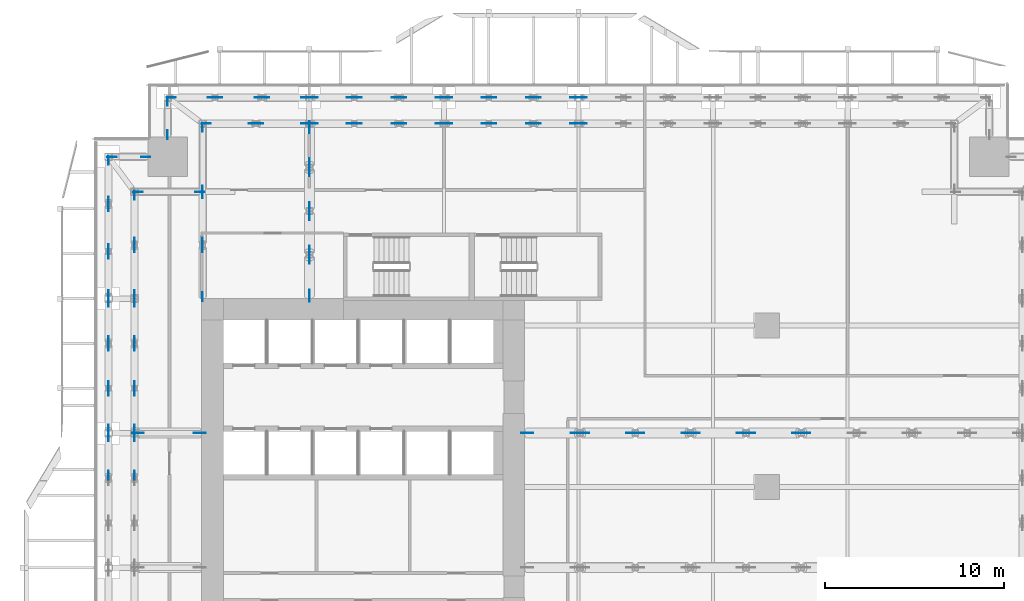
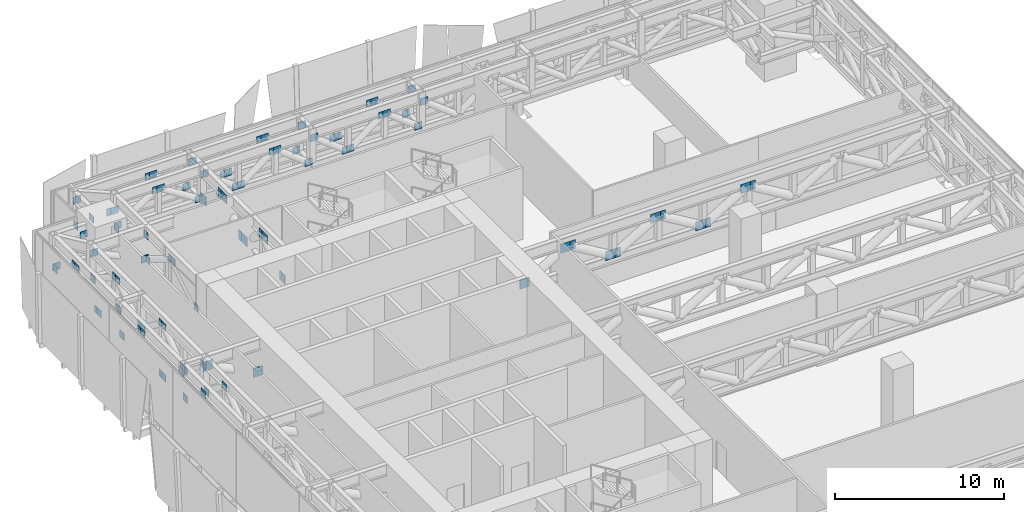
# One storey, part 36 of 39: 95 discrete accessories.
"""IFC4 building model written with IfcOpenShell, lengths in metres."""

from ifc_helpers import new_model, si_unit, direction, frame, origin, origin_2d, place, context, subcontext, project, spatial, rectangle, extrude, source, transform, mapped, material, layer, layer_set, type_object, element, save


model = new_model("IFC4")

# Units and contexts
model_context = context("Model", 3, precision=1e-05, world=origin(), true_north=direction((0.0, 1.0)))
body_context = subcontext(model_context, "Body", "Model", "MODEL_VIEW")
ifc_project = project(units=[si_unit("LENGTHUNIT", "METRE"), si_unit("AREAUNIT", "SQUARE_METRE"), si_unit("VOLUMEUNIT", "CUBIC_METRE"), si_unit("PLANEANGLEUNIT", "RADIAN"), si_unit("MASSUNIT", "GRAM", prefix="KILO")], contexts=[model_context])

# Site, building, storey
site_placement = place(None, origin())
site = spatial("IfcSite", under=ifc_project, at=site_placement, CompositionType="ELEMENT")
building_placement = place(site_placement, origin())
building = spatial("IfcBuilding", under=site, at=building_placement, Name="Khomas Fold Tower", CompositionType="ELEMENT")
storey_placement = place(building_placement, frame((0.0, 0.0, 96.0)))
storey = spatial("IfcBuildingStorey", under=building, at=storey_placement, Name="L20", CompositionType="ELEMENT", Elevation=96.0)

# Discrete accessories
ifc_material_1 = material(Name="Steel S355", Category="steel")
ifc_layer_1 = layer(ifc_material_1, 0.030029296875)
ifc_layer_set_1 = layer_set([ifc_layer_1], Name="Steel S355")
discrete_accessory_type_1 = type_object("IfcDiscreteAccessoryType", Name="Gusset plate 30 x 510 GP3", PredefinedType="BRACKET", material=ifc_layer_set_1)
shared_shape_1 = source(origin(), body_context, "Body", "SweptSolid", [
    extrude(rectangle(XDim=0.510009765625, YDim=0.030029296875, at=origin_2d()), origin(), (0.0, 0.0, 1.0), 0.510009765625),
])
for number, where, z_axis, x_axis, name in (
    (1, (0.800048828125, 32.14990234375, 4.14990234375), (0.0, 0.0, 1.0), (0.0, 1.0, 0.0), "Gusset plate BT1-D"),
    (2, (0.800048828125, 34.300048828125, 2.490234375), (0.0, 0.0, 1.0), (0.0, 1.0, 0.0), "Gusset plate BT1-D"),
    (3, (0.800048828125, 34.699951171875, 4.14990234375), (0.0, 0.0, 1.0), (0.0, 1.0, 0.0), "Gusset plate BT1-D"),
    (4, (0.800048828125, 36.85009765625, 2.490234375), (0.0, 0.0, 1.0), (0.0, 1.0, 0.0), "Gusset plate BT1-D"),
    (5, (0.800048828125, 37.14990234375, 2.490234375), (0.0, 0.0, 1.0), (0.0, 1.0, 0.0), "Gusset plate BT1-D"),
    (6, (0.800048828125, 39.35009765625, 4.14990234375), (0.0, 0.0, 1.0), (0.0, 1.0, 0.0), "Gusset plate BT1-D"),
    (7, (0.800048828125, 39.64990234375, 4.14990234375), (0.0, 0.0, 1.0), (0.0, 1.0, 0.0), "Gusset plate BT1-D"),
    (8, (0.800048828125, 41.800048828125, 2.490234375), (0.0, 0.0, 1.0), (0.0, 1.0, 0.0), "Gusset plate BT1-D"),
    (9, (0.800048828125, 42.199951171875, 4.14990234375), (0.0, 0.0, 1.0), (0.0, 1.0, 0.0), "Gusset plate BT1-D"),
    (10, (0.800048828125, 44.4833984375, 2.490234375), (0.0, 0.0, 1.0), (0.0, 1.0, 0.0), "Gusset plate BT1-D"),
    (11, (0.800048828125, 44.783447265625, 2.490234375), (0.0, 0.0, 1.0), (0.0, 1.0, 0.0), "Gusset plate BT1-D"),
    (12, (0.800048828125, 47.11669921875, 4.14990234375), (0.0, 0.0, 1.0), (0.0, 1.0, 0.0), "Gusset plate BT1-D"),
    (13, (0.800048828125, 47.416748046875, 4.14990234375), (0.0, 0.0, 1.0), (0.0, 1.0, 0.0), "Gusset plate BT1-D"),
    (14, (0.800048828125, 49.699951171875, 2.490234375), (0.0, 0.0, 1.0), (0.0, 1.0, 0.0), "Gusset plate BT1-D"),
    (15, (1.0, 49.89990234375, 2.490234375), (0.0, 0.0, 1.0), (1.0, 0.0, 0.0), "Gusset plate BT1-D"),
    (16, (2.25, 32.14990234375, 4.14990234375), (0.0, 0.0, 1.0), (0.0, 1.0, 0.0), "Gusset plate BT1-D"),
    (17, (2.25, 34.300048828125, 2.490234375), (0.0, 0.0, 1.0), (0.0, 1.0, 0.0), "Gusset plate BT1-D"),
    (18, (2.25, 34.699951171875, 4.14990234375), (0.0, 0.0, 1.0), (0.0, 1.0, 0.0), "Gusset plate BT1-D"),
    (19, (2.25, 36.85009765625, 2.490234375), (0.0, 0.0, 1.0), (0.0, 1.0, 0.0), "Gusset plate BT1-D"),
    (20, (2.25, 37.14990234375, 2.490234375), (0.0, 0.0, 1.0), (0.0, 1.0, 0.0), "Gusset plate BT1-D"),
    (21, (2.25, 39.35009765625, 4.14990234375), (0.0, 0.0, 1.0), (0.0, 1.0, 0.0), "Gusset plate BT1-D"),
    (22, (2.25, 39.64990234375, 4.14990234375), (0.0, 0.0, 1.0), (0.0, 1.0, 0.0), "Gusset plate BT1-D"),
    (23, (2.25, 41.800048828125, 2.490234375), (0.0, 0.0, 1.0), (0.0, 1.0, 0.0), "Gusset plate BT1-D"),
    (24, (2.25, 42.199951171875, 2.490234375), (0.0, 0.0, 1.0), (0.0, 1.0, 0.0), "Gusset plate BT1-D"),
    (25, (2.25, 44.824951171875, 4.14990234375), (0.0, 0.0, 1.0), (0.0, 1.0, 0.0), "Gusset plate BT1-D"),
    (26, (2.25, 45.125, 4.14990234375), (0.0, 0.0, 1.0), (0.0, 1.0, 0.0), "Gusset plate BT1-D"),
    (27, (2.25, 47.75, 2.490234375), (0.0, 0.0, 1.0), (0.0, 1.0, 0.0), "Gusset plate BT1-D"),
    (28, (2.449951171875, 47.949951171875, 4.14990234375), (0.0, 0.0, 1.0), (1.0, 0.0, 0.0), "Gusset plate BT1-DL"),
    (29, (2.87060546875, 49.89990234375, 4.14990234375), (0.0, 0.0, 1.0), (1.0, 0.0, 0.0), "Gusset plate BT1-D"),
    (30, (4.10009765625, 51.12939453125, 4.14990234375), (0.0, 0.0, 1.0), (0.0, 1.0, 0.0), "Gusset plate BT1-D"),
    (31, (4.10009765625, 53.0, 2.490234375), (0.0, 0.0, 1.0), (0.0, 1.0, 0.0), "Gusset plate BT1-D"),
    (32, (4.300048828125, 53.199951171875, 4.14990234375), (0.0, 0.0, 1.0), (1.0, 0.0, 0.0), "Gusset plate BT1-D"),
    (33, (5.89990234375, 47.949951171875, 2.490234375), (0.0, 0.0, 1.0), (1.0, 0.0, 0.0), "Gusset plate BT1-DL"),
    (34, (6.050048828125, 42.1025390625, 2.490234375), (0.0, 0.0, 1.0), (0.0, 1.0, 0.0), "Gusset plate BT1-D"),
    (35, (6.050048828125, 44.824951171875, 4.14990234375), (0.0, 0.0, 1.0), (0.0, 1.0, 0.0), "Gusset plate BT1-D"),
    (36, (6.050048828125, 45.125, 4.14990234375), (0.0, 0.0, 1.0), (0.0, 1.0, 0.0), "Gusset plate BT1-D"),
    (37, (6.050048828125, 47.847412109375, 2.490234375), (0.0, 0.0, 1.0), (0.0, 1.0, 0.0), "Gusset plate BT1-D"),
    (38, (6.050048828125, 48.03466796875, 4.14990234375), (0.0, 0.0, 1.0), (0.0, 1.0, 0.0), "Gusset plate BT1-DL"),
    (39, (6.050048828125, 51.550048828125, 2.490234375), (0.0, 0.0, 1.0), (0.0, 1.0, 0.0), "Gusset plate BT1-DL"),
    (40, (6.25, 51.75, 2.490234375), (0.0, 0.0, 1.0), (1.0, 0.0, 0.0), "Gusset plate BT1-D"),
    (41, (6.583251953125, 53.199951171875, 2.490234375), (0.0, 0.0, 1.0), (1.0, 0.0, 0.0), "Gusset plate BT1-D"),
    (42, (6.88330078125, 53.199951171875, 2.490234375), (0.0, 0.0, 1.0), (1.0, 0.0, 0.0), "Gusset plate BT1-D"),
    (43, (8.875, 51.75, 4.14990234375), (0.0, 0.0, 1.0), (1.0, 0.0, 0.0), "Gusset plate BT1-D"),
    (44, (9.175048828125, 51.75, 4.14990234375), (0.0, 0.0, 1.0), (1.0, 0.0, 0.0), "Gusset plate BT1-D"),
    (45, (9.216552734375, 53.199951171875, 4.14990234375), (0.0, 0.0, 1.0), (1.0, 0.0, 0.0), "Gusset plate BT1-D"),
    (46, (9.5166015625, 53.199951171875, 4.14990234375), (0.0, 0.0, 1.0), (1.0, 0.0, 0.0), "Gusset plate BT1-D"),
    (47, (11.800048828125, 51.75, 2.490234375), (0.0, 0.0, 1.0), (1.0, 0.0, 0.0), "Gusset plate BT1-D"),
    (48, (11.800048828125, 53.199951171875, 2.490234375), (0.0, 0.0, 1.0), (1.0, 0.0, 0.0), "Gusset plate BT1-D"),
    (49, (12.199951171875, 51.75, 4.14990234375), (0.0, 0.0, 1.0), (1.0, 0.0, 0.0), "Gusset plate BT1-D"),
    (50, (12.199951171875, 53.199951171875, 4.14990234375), (0.0, 0.0, 1.0), (1.0, 0.0, 0.0), "Gusset plate BT1-D"),
    (51, (14.35009765625, 51.75, 2.490234375), (0.0, 0.0, 1.0), (1.0, 0.0, 0.0), "Gusset plate BT1-D"),
    (52, (14.35009765625, 53.199951171875, 2.490234375), (0.0, 0.0, 1.0), (1.0, 0.0, 0.0), "Gusset plate BT1-D"),
    (53, (14.64990234375, 51.75, 2.490234375), (0.0, 0.0, 1.0), (1.0, 0.0, 0.0), "Gusset plate BT1-D"),
    (54, (14.64990234375, 53.199951171875, 2.490234375), (0.0, 0.0, 1.0), (1.0, 0.0, 0.0), "Gusset plate BT1-D"),
    (55, (16.85009765625, 51.75, 4.14990234375), (0.0, 0.0, 1.0), (1.0, 0.0, 0.0), "Gusset plate BT1-D"),
    (56, (16.85009765625, 53.199951171875, 4.14990234375), (0.0, 0.0, 1.0), (1.0, 0.0, 0.0), "Gusset plate BT1-D"),
    (57, (17.14990234375, 51.75, 4.14990234375), (0.0, 0.0, 1.0), (1.0, 0.0, 0.0), "Gusset plate BT1-D"),
    (58, (17.14990234375, 53.199951171875, 4.14990234375), (0.0, 0.0, 1.0), (1.0, 0.0, 0.0), "Gusset plate BT1-D"),
    (59, (19.300048828125, 51.75, 2.490234375), (0.0, 0.0, 1.0), (1.0, 0.0, 0.0), "Gusset plate BT1-D"),
    (60, (19.300048828125, 53.199951171875, 2.490234375), (0.0, 0.0, 1.0), (1.0, 0.0, 0.0), "Gusset plate BT1-D"),
    (61, (19.699951171875, 51.75, 4.14990234375), (0.0, 0.0, 1.0), (1.0, 0.0, 0.0), "Gusset plate BT1-D"),
    (62, (19.699951171875, 53.199951171875, 4.14990234375), (0.0, 0.0, 1.0), (1.0, 0.0, 0.0), "Gusset plate BT1-D"),
    (63, (21.85009765625, 51.75, 2.490234375), (0.0, 0.0, 1.0), (1.0, 0.0, 0.0), "Gusset plate BT1-D"),
    (64, (21.85009765625, 53.199951171875, 2.490234375), (0.0, 0.0, 1.0), (1.0, 0.0, 0.0), "Gusset plate BT1-D"),
    (65, (22.14990234375, 51.75, 2.490234375), (0.0, 0.0, 1.0), (1.0, 0.0, 0.0), "Gusset plate BT1-D"),
    (66, (22.14990234375, 53.199951171875, 2.490234375), (0.0, 0.0, 1.0), (1.0, 0.0, 0.0), "Gusset plate BT1-D"),
    (67, (24.35009765625, 51.75, 4.14990234375), (0.0, 0.0, 1.0), (1.0, 0.0, 0.0), "Gusset plate BT1-D"),
    (68, (24.35009765625, 53.199951171875, 4.14990234375), (0.0, 0.0, 1.0), (1.0, 0.0, 0.0), "Gusset plate BT1-D"),
    (69, (24.64990234375, 51.75, 4.14990234375), (0.0, 0.0, 1.0), (1.0, 0.0, 0.0), "Gusset plate BT1-D"),
    (70, (24.64990234375, 53.199951171875, 4.14990234375), (0.0, 0.0, 1.0), (1.0, 0.0, 0.0), "Gusset plate BT1-D"),
    (71, (26.800048828125, 51.75, 2.490234375), (0.0, 0.0, 1.0), (1.0, 0.0, 0.0), "Gusset plate BT1-D"),
    (72, (26.800048828125, 53.199951171875, 2.490234375), (0.0, 0.0, 1.0), (1.0, 0.0, 0.0), "Gusset plate BT1-D"),
    (73, (27.199951171875, 51.75, 4.14990234375), (0.0, 0.0, 1.0), (1.0, 0.0, 0.0), "Gusset plate BT1-D"),
    (74, (27.199951171875, 53.199951171875, 4.14990234375), (0.0, 0.0, 1.0), (1.0, 0.0, 0.0), "Gusset plate BT1-D"),
):
    element("IfcDiscreteAccessory", number, at=place(storey_placement, frame(where, z_axis=z_axis, x_axis=x_axis)), inside=storey, type_object=discrete_accessory_type_1, Name=name, PredefinedType="BRACKET", context=body_context, shape_type="MappedRepresentation", body=[
        mapped(shared_shape_1, transform((0.0, 0.0, 0.0))),
    ])
ifc_material_2 = material(Name="Steel S355", Category="steel")
ifc_layer_2 = layer(ifc_material_2, 0.030029296875)
ifc_layer_set_2 = layer_set([ifc_layer_2], Name="Steel S355")
discrete_accessory_type_2 = type_object("IfcDiscreteAccessoryType", Name="Gusset plate 30 x 660 GP4", PredefinedType="BRACKET", material=ifc_layer_set_2)
shared_shape_2 = source(origin(), body_context, "Body", "SweptSolid", [
    extrude(rectangle(XDim=0.659912109375, YDim=0.030029296875, at=origin_2d()), origin(), (0.0, 0.0, 1.0), 0.659912109375),
])
for number, where, z_axis, x_axis, name in (
    (75, (2.449951171875, 34.5, 4.06103515625), (0.0, 0.0, 1.0), (1.0, 0.0, 0.0), "Gusset plate OR1-D"),
    (76, (5.88427734375, 34.5, 2.43505859375), (0.0, 0.0, 1.0), (1.0, 0.0, 0.0), "Gusset plate OR1-D"),
    (77, (12.0, 42.162353515625, 2.43505859375), (0.0, 0.0, 1.0), (0.0, 1.0, 0.0), "Gusset plate OR1-D"),
    (78, (12.0, 44.262451171875, 4.06103515625), (0.0, 0.0, 1.0), (0.0, 1.0, 0.0), "Gusset plate OR1-D"),
    (79, (12.0, 44.612548828125, 4.06103515625), (0.0, 0.0, 1.0), (0.0, 1.0, 0.0), "Gusset plate OR1-D"),
    (80, (12.0, 46.699951171875, 2.43505859375), (0.0, 0.0, 1.0), (0.0, 1.0, 0.0), "Gusset plate OR1-D"),
    (81, (12.0, 47.050048828125, 2.43505859375), (0.0, 0.0, 1.0), (0.0, 1.0, 0.0), "Gusset plate OR1-D"),
    (82, (12.0, 49.137451171875, 4.06103515625), (0.0, 0.0, 1.0), (0.0, 1.0, 0.0), "Gusset plate OR1-D"),
    (83, (12.0, 49.487548828125, 4.06103515625), (0.0, 0.0, 1.0), (0.0, 1.0, 0.0), "Gusset plate OR1-D"),
    (84, (12.0, 51.550048828125, 2.43505859375), (0.0, 0.0, 1.0), (0.0, 1.0, 0.0), "Gusset plate OR1-D"),
    (85, (24.1357421875, 34.5, 2.43505859375), (0.0, 0.0, 1.0), (1.0, 0.0, 0.0), "Gusset plate OR1-D"),
    (86, (26.908447265625, 34.5, 4.06103515625), (0.0, 0.0, 1.0), (1.0, 0.0, 0.0), "Gusset plate OR1-D"),
    (87, (27.25830078125, 34.5, 4.06103515625), (0.0, 0.0, 1.0), (1.0, 0.0, 0.0), "Gusset plate OR1-D"),
    (88, (29.99169921875, 34.5, 2.43505859375), (0.0, 0.0, 1.0), (1.0, 0.0, 0.0), "Gusset plate OR1-D"),
    (89, (30.341552734375, 34.5, 2.43505859375), (0.0, 0.0, 1.0), (1.0, 0.0, 0.0), "Gusset plate OR1-D"),
    (90, (33.074951171875, 34.5, 4.06103515625), (0.0, 0.0, 1.0), (1.0, 0.0, 0.0), "Gusset plate OR1-D"),
    (91, (33.425048828125, 34.5, 4.06103515625), (0.0, 0.0, 1.0), (1.0, 0.0, 0.0), "Gusset plate OR1-D"),
    (92, (36.158447265625, 34.5, 2.43505859375), (0.0, 0.0, 1.0), (1.0, 0.0, 0.0), "Gusset plate OR1-D"),
    (93, (36.50830078125, 34.5, 2.43505859375), (0.0, 0.0, 1.0), (1.0, 0.0, 0.0), "Gusset plate OR1-D"),
    (94, (39.24169921875, 34.5, 4.06103515625), (0.0, 0.0, 1.0), (1.0, 0.0, 0.0), "Gusset plate OR1-D"),
    (95, (39.591552734375, 34.5, 4.06103515625), (0.0, 0.0, 1.0), (1.0, 0.0, 0.0), "Gusset plate OR1-D"),
):
    element("IfcDiscreteAccessory", number, at=place(storey_placement, frame(where, z_axis=z_axis, x_axis=x_axis)), inside=storey, type_object=discrete_accessory_type_2, Name=name, PredefinedType="BRACKET", context=body_context, shape_type="MappedRepresentation", body=[
        mapped(shared_shape_2, transform((0.0, 0.0, 0.0))),
    ])

save(model, "model.ifc")
